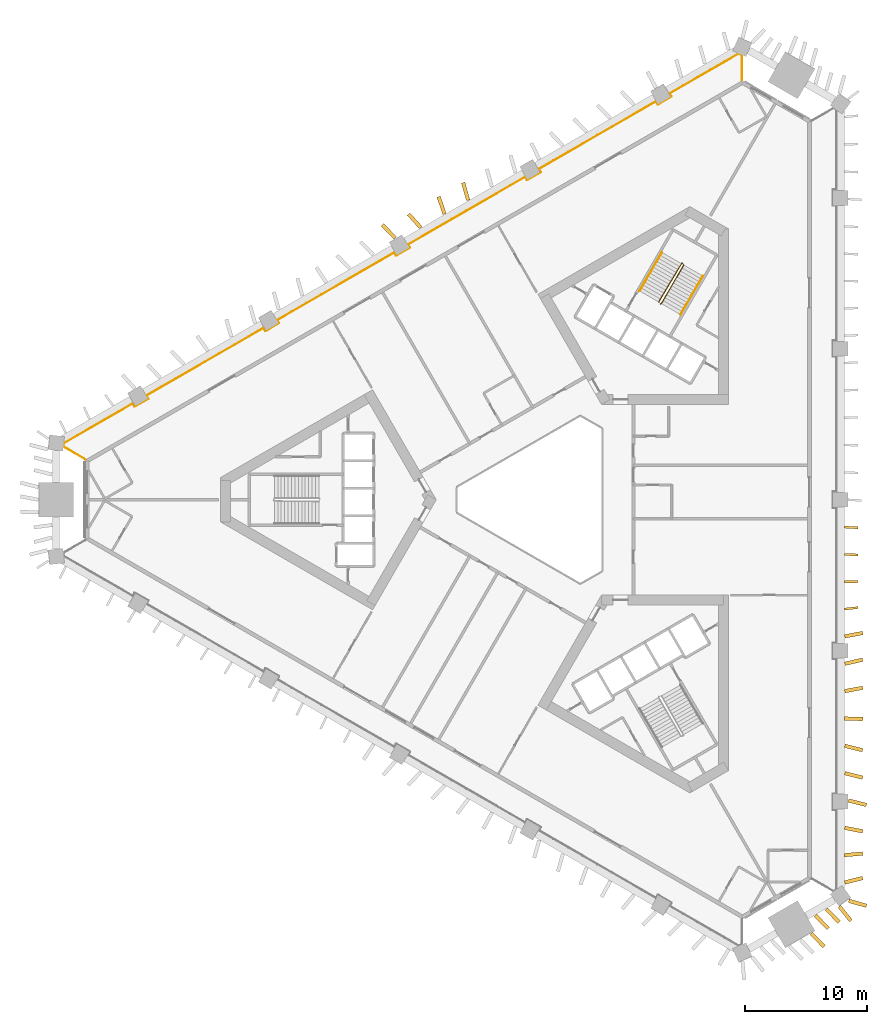
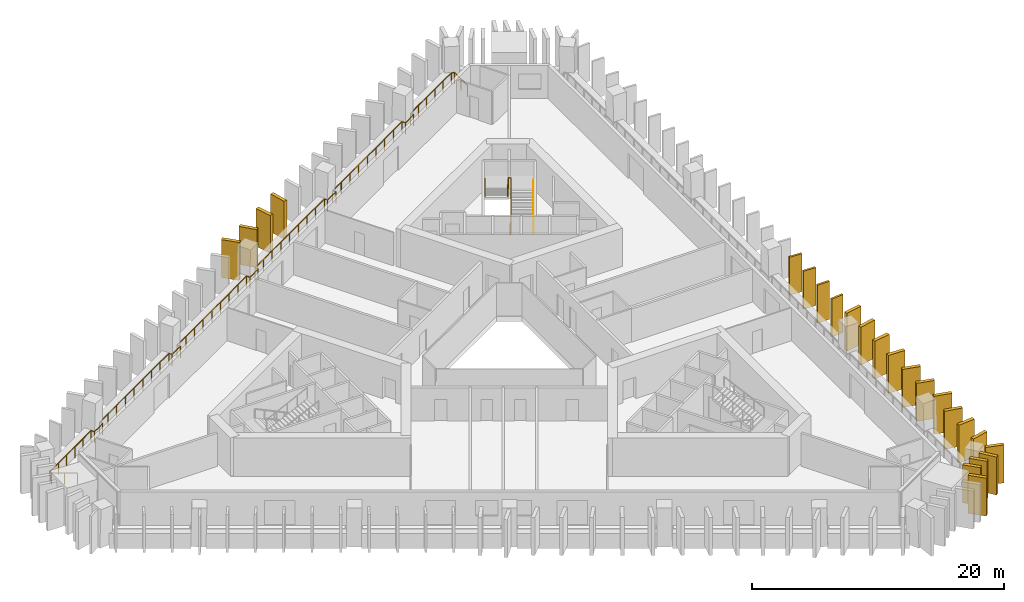
# One storey, part 9 of 10: 23 shading devices, 4 railings.
"""IFC4 building model written with IfcOpenShell, lengths in metres."""

from ifc_helpers import new_model, si_unit, direction, frame, frame_2d, origin, origin_2d, place, context, subcontext, project, spatial, rectangle, circle, extrude, material, layer, layer_set, type_object, element, save


model = new_model("IFC4")

# Units and contexts
model_context = context("Model", 3, precision=1e-05, world=origin(), true_north=direction((0.0, 1.0)))
body_context = subcontext(model_context, "Body", "Model", "MODEL_VIEW")
ifc_project = project(units=[si_unit("LENGTHUNIT", "METRE"), si_unit("AREAUNIT", "SQUARE_METRE"), si_unit("VOLUMEUNIT", "CUBIC_METRE"), si_unit("PLANEANGLEUNIT", "RADIAN"), si_unit("MASSUNIT", "GRAM", prefix="KILO")], contexts=[model_context])

# Site, building, storey
site_placement = place(None, origin())
site = spatial("IfcSite", under=ifc_project, at=site_placement, CompositionType="ELEMENT")
building_placement = place(site_placement, origin())
building = spatial("IfcBuilding", under=site, at=building_placement, Name="Jabali Bay Hotel Tower and Convention Centre", CompositionType="ELEMENT")
storey_placement = place(building_placement, frame((0.0, 0.0, 30.0)))
storey = spatial("IfcBuildingStorey", under=building, at=storey_placement, Name="L05", CompositionType="ELEMENT", Elevation=30.0)

# Railing
ifc_material_1 = material(Name="Glass", Category="glass")
railing_type_1 = type_object("IfcRailingType", Name="Loggia glass guard 1100", PredefinedType="BALUSTRADE", material=ifc_material_1)
railing_1_placement = place(storey_placement, frame((37.3291015625, 83.3076171875, 0.0)))
element("IfcRailing", 1, at=railing_1_placement, inside=storey, type_object=railing_type_1, Name="Loggia glass guard L05", PredefinedType="BALUSTRADE", context=body_context, shape_type="SweptSolid", body=[
    extrude(circle(Radius=0.02490234375, at=origin_2d()), frame((0.0, 0.0, 1.0751953125), z_axis=(-0.865975938727, 0.500085666207, 0.0), x_axis=(-0.495807364007, -0.858567394524, 0.13052619222)), (0.0, 0.0, 1.0), 2.055908203125),
    extrude(circle(Radius=0.02490234375, at=origin_2d()), frame((-1.7802734375, 1.028076171875, 1.0751953125), z_axis=(0.115132230487, 0.993350174663, 0.0), x_axis=(-0.984851926214, 0.114147258294, 0.13052619222)), (0.0, 0.0, 1.0), 0.2734375),
    extrude(circle(Radius=0.02490234375, at=origin_2d()), frame((-1.748779296875, 1.2998046875, 1.0751953125), z_axis=(0.866012446351, 0.500022442261, 0.0), x_axis=(-0.495744680951, 0.858603589821, 0.13052619222)), (0.0, 0.0, 1.0), 6.504638671875),
    extrude(circle(Radius=0.02490234375, at=origin_2d()), frame((3.88427734375, 4.55224609375, 1.0751953125), z_axis=(0.500074377092, -0.865982457891, 0.0), x_axis=(0.858573857916, 0.495796171473, 0.13052619222)), (0.0, 0.0, 1.0), 0.30029296875),
    extrude(circle(Radius=0.02490234375, at=origin_2d()), frame((4.034423828125, 4.292236328125, 1.0751953125), z_axis=(0.86595725628, 0.500118016368, 0.0), x_axis=(-0.495839437409, 0.858548871908, 0.13052619222)), (0.0, 0.0, 1.0), 1.300048828125),
    extrude(circle(Radius=0.02490234375, at=origin_2d()), frame((5.16015625, 4.9423828125, 1.0751953125), z_axis=(-0.499816412211, 0.866131372301, 0.0), x_axis=(-0.858721498343, -0.495540413517, 0.13052619222)), (0.0, 0.0, 1.0), 0.2998046875),
    extrude(circle(Radius=0.02490234375, at=origin_2d()), frame((5.01025390625, 5.2021484375, 1.0751953125), z_axis=(0.866027235041, 0.499996828157, 0.0), x_axis=(-0.495719285979, 0.858618251991, 0.13052619222)), (0.0, 0.0, 1.0), 11.0400390625),
    extrude(circle(Radius=0.02490234375, at=origin_2d()), frame((14.5712890625, 10.72216796875, 1.0751953125), z_axis=(0.499816412211, -0.866131372301, 0.0), x_axis=(0.858721498343, 0.495540413517, 0.13052619222)), (0.0, 0.0, 1.0), 0.2998046875),
    extrude(circle(Radius=0.02490234375, at=origin_2d()), frame((14.72119140625, 10.46240234375, 1.0751953125), z_axis=(0.86603858612, 0.49997716683, 0.0), x_axis=(-0.495699792858, 0.85862950596, 0.13052619222)), (0.0, 0.0, 1.0), 1.2998046875),
    extrude(circle(Radius=0.02490234375, at=origin_2d()), frame((15.846923828125, 11.1123046875, 1.0751953125), z_axis=(-0.499816412211, 0.866131372301, 0.0), x_axis=(-0.858721498343, -0.495540413517, 0.13052619222)), (0.0, 0.0, 1.0), 0.2998046875),
    extrude(circle(Radius=0.02490234375, at=origin_2d()), frame((15.697021484375, 11.3720703125, 1.0751953125), z_axis=(0.866027235041, 0.499996828157, 0.0), x_axis=(-0.495719285979, 0.858618251991, 0.13052619222)), (0.0, 0.0, 1.0), 11.0400390625),
    extrude(circle(Radius=0.02490234375, at=origin_2d()), frame((25.258056640625, 16.89208984375, 1.0751953125), z_axis=(0.499816412211, -0.866131372301, 0.0), x_axis=(0.858721498343, 0.495540413517, 0.13052619222)), (0.0, 0.0, 1.0), 0.2998046875),
    extrude(circle(Radius=0.02490234375, at=origin_2d()), frame((25.407958984375, 16.63232421875, 1.0751953125), z_axis=(0.866004217611, 0.500036693733, 0.0), x_axis=(-0.4957588105, 0.858595431479, 0.13052619222)), (0.0, 0.0, 1.0), 1.30029296875),
    extrude(circle(Radius=0.02490234375, at=origin_2d()), frame((26.533935546875, 17.282470703125, 1.0751953125), z_axis=(-0.500426713919, 0.865778900179, 0.0), x_axis=(-0.858372041669, -0.49614549401, 0.13052619222)), (0.0, 0.0, 1.0), 0.300048828125),
    extrude(circle(Radius=0.02490234375, at=origin_2d()), frame((26.3837890625, 17.542236328125, 1.0751953125), z_axis=(0.866027235041, 0.499996828157, 0.0), x_axis=(-0.495719285979, 0.858618251991, 0.13052619222)), (0.0, 0.0, 1.0), 11.0400390625),
    extrude(circle(Radius=0.02490234375, at=origin_2d()), frame((35.94482421875, 23.062255859375, 1.0751953125), z_axis=(0.499816412211, -0.866131372301, 0.0), x_axis=(0.858721498343, 0.495540413517, 0.13052619222)), (0.0, 0.0, 1.0), 0.2998046875),
    extrude(circle(Radius=0.02490234375, at=origin_2d()), frame((36.0947265625, 22.802490234375, 1.0751953125), z_axis=(0.866085525409, 0.49989585183, 0.0), x_axis=(-0.495619173519, 0.858676043677, 0.13052619222)), (0.0, 0.0, 1.0), 1.300048828125),
    extrude(circle(Radius=0.02490234375, at=origin_2d()), frame((37.220703125, 23.452392578125, 1.0751953125), z_axis=(-0.500426713919, 0.865778900179, 0.0), x_axis=(-0.858372041669, -0.49614549401, 0.13052619222)), (0.0, 0.0, 1.0), 0.300048828125),
    extrude(circle(Radius=0.02490234375, at=origin_2d()), frame((37.070556640625, 23.712158203125, 1.0751953125), z_axis=(0.866027235041, 0.499996828157, 0.0), x_axis=(-0.495719285979, 0.858618251991, 0.13052619222)), (0.0, 0.0, 1.0), 11.0400390625),
    extrude(circle(Radius=0.02490234375, at=origin_2d()), frame((46.631591796875, 29.232177734375, 1.0751953125), z_axis=(0.499816412211, -0.866131372301, 0.0), x_axis=(0.858721498343, 0.495540413517, 0.13052619222)), (0.0, 0.0, 1.0), 0.2998046875),
    extrude(circle(Radius=0.02490234375, at=origin_2d()), frame((46.781494140625, 28.972412109375, 1.0751953125), z_axis=(0.866004217611, 0.500036693733, 0.0), x_axis=(-0.4957588105, 0.858595431479, 0.13052619222)), (0.0, 0.0, 1.0), 1.30029296875),
    extrude(circle(Radius=0.02490234375, at=origin_2d()), frame((47.907470703125, 29.62255859375, 1.0751953125), z_axis=(-0.500426713919, 0.865778900179, 0.0), x_axis=(-0.858372041669, -0.49614549401, 0.13052619222)), (0.0, 0.0, 1.0), 0.300048828125),
    extrude(circle(Radius=0.02490234375, at=origin_2d()), frame((47.75732421875, 29.88232421875, 1.0751953125), z_axis=(0.866038082106, 0.49997803986, 0.0), x_axis=(-0.495700658419, 0.858629006258, 0.13052619222)), (0.0, 0.0, 1.0), 6.504638671875),
    extrude(circle(Radius=0.02490234375, at=origin_2d()), frame((53.390625, 33.134521484375, 1.0751953125), z_axis=(0.917848253155, -0.396931460305, 0.0), x_axis=(0.393535656637, 0.909995934112, 0.13052619222)), (0.0, 0.0, 1.0), 0.273681640625),
    extrude(circle(Radius=0.02490234375, at=origin_2d()), frame((53.641845703125, 33.02587890625, 1.0751953125), z_axis=(0.0, -1.0, 0.0), x_axis=(0.991444861374, 0.0, 0.13052619222)), (0.0, 0.0, 1.0), 2.0556640625),
    extrude(circle(Radius=0.02001953125, at=origin_2d()), origin(), (0.0, 0.0, 1.0), 1.050048828125),
    extrude(circle(Radius=0.02001953125, at=origin_2d()), frame((-0.89013671875, 0.51416015625, 0.0)), (0.0, 0.0, 1.0), 1.050048828125),
    extrude(circle(Radius=0.02001953125, at=origin_2d()), frame((-1.7802734375, 1.028076171875, 0.0)), (0.0, 0.0, 1.0), 1.050048828125),
    extrude(circle(Radius=0.02001953125, at=origin_2d()), frame((-1.748779296875, 1.2998046875, 0.0)), (0.0, 0.0, 1.0), 1.050048828125),
    extrude(circle(Radius=0.02001953125, at=origin_2d()), frame((-0.6220703125, 1.9501953125, 0.0)), (0.0, 0.0, 1.0), 1.050048828125),
    extrude(circle(Radius=0.02001953125, at=origin_2d()), frame((0.50439453125, 2.600830078125, 0.0)), (0.0, 0.0, 1.0), 1.050048828125),
    extrude(circle(Radius=0.02001953125, at=origin_2d()), frame((1.631103515625, 3.251220703125, 0.0)), (0.0, 0.0, 1.0), 1.050048828125),
    extrude(circle(Radius=0.02001953125, at=origin_2d()), frame((2.757568359375, 3.90185546875, 0.0)), (0.0, 0.0, 1.0), 1.050048828125),
    extrude(circle(Radius=0.02001953125, at=origin_2d()), frame((3.88427734375, 4.55224609375, 0.0)), (0.0, 0.0, 1.0), 1.050048828125),
    extrude(circle(Radius=0.02001953125, at=origin_2d()), frame((4.034423828125, 4.292236328125, 0.0)), (0.0, 0.0, 1.0), 1.050048828125),
    extrude(circle(Radius=0.02001953125, at=origin_2d()), frame((5.16015625, 4.9423828125, 0.0)), (0.0, 0.0, 1.0), 1.050048828125),
    extrude(circle(Radius=0.02001953125, at=origin_2d()), frame((5.01025390625, 5.2021484375, 0.0)), (0.0, 0.0, 1.0), 1.050048828125),
    extrude(circle(Radius=0.02001953125, at=origin_2d()), frame((6.205322265625, 5.89208984375, 0.0)), (0.0, 0.0, 1.0), 1.050048828125),
    extrude(circle(Radius=0.02001953125, at=origin_2d()), frame((7.400390625, 6.58203125, 0.0)), (0.0, 0.0, 1.0), 1.050048828125),
    extrude(circle(Radius=0.02001953125, at=origin_2d()), frame((8.595703125, 7.272216796875, 0.0)), (0.0, 0.0, 1.0), 1.050048828125),
    extrude(circle(Radius=0.02001953125, at=origin_2d()), frame((9.790771484375, 7.962158203125, 0.0)), (0.0, 0.0, 1.0), 1.050048828125),
    extrude(circle(Radius=0.02001953125, at=origin_2d()), frame((10.98583984375, 8.652099609375, 0.0)), (0.0, 0.0, 1.0), 1.050048828125),
    extrude(circle(Radius=0.02001953125, at=origin_2d()), frame((12.18115234375, 9.34228515625, 0.0)), (0.0, 0.0, 1.0), 1.050048828125),
    extrude(circle(Radius=0.02001953125, at=origin_2d()), frame((13.376220703125, 10.0322265625, 0.0)), (0.0, 0.0, 1.0), 1.050048828125),
    extrude(circle(Radius=0.02001953125, at=origin_2d()), frame((14.5712890625, 10.72216796875, 0.0)), (0.0, 0.0, 1.0), 1.050048828125),
    extrude(circle(Radius=0.02001953125, at=origin_2d()), frame((14.72119140625, 10.46240234375, 0.0)), (0.0, 0.0, 1.0), 1.050048828125),
    extrude(circle(Radius=0.02001953125, at=origin_2d()), frame((15.846923828125, 11.1123046875, 0.0)), (0.0, 0.0, 1.0), 1.050048828125),
    extrude(circle(Radius=0.02001953125, at=origin_2d()), frame((15.697021484375, 11.3720703125, 0.0)), (0.0, 0.0, 1.0), 1.050048828125),
    extrude(circle(Radius=0.02001953125, at=origin_2d()), frame((16.89208984375, 12.06201171875, 0.0)), (0.0, 0.0, 1.0), 1.050048828125),
    extrude(circle(Radius=0.02001953125, at=origin_2d()), frame((18.08740234375, 12.751953125, 0.0)), (0.0, 0.0, 1.0), 1.050048828125),
    extrude(circle(Radius=0.02001953125, at=origin_2d()), frame((19.282470703125, 13.442138671875, 0.0)), (0.0, 0.0, 1.0), 1.050048828125),
    extrude(circle(Radius=0.02001953125, at=origin_2d()), frame((20.4775390625, 14.132080078125, 0.0)), (0.0, 0.0, 1.0), 1.050048828125),
    extrude(circle(Radius=0.02001953125, at=origin_2d()), frame((21.672607421875, 14.822021484375, 0.0)), (0.0, 0.0, 1.0), 1.050048828125),
    extrude(circle(Radius=0.02001953125, at=origin_2d()), frame((22.86767578125, 15.51220703125, 0.0)), (0.0, 0.0, 1.0), 1.050048828125),
    extrude(circle(Radius=0.02001953125, at=origin_2d()), frame((24.06298828125, 16.2021484375, 0.0)), (0.0, 0.0, 1.0), 1.050048828125),
    extrude(circle(Radius=0.02001953125, at=origin_2d()), frame((25.258056640625, 16.89208984375, 0.0)), (0.0, 0.0, 1.0), 1.050048828125),
    extrude(circle(Radius=0.02001953125, at=origin_2d()), frame((25.407958984375, 16.63232421875, 0.0)), (0.0, 0.0, 1.0), 1.050048828125),
    extrude(circle(Radius=0.02001953125, at=origin_2d()), frame((26.533935546875, 17.282470703125, 0.0)), (0.0, 0.0, 1.0), 1.050048828125),
    extrude(circle(Radius=0.02001953125, at=origin_2d()), frame((26.3837890625, 17.542236328125, 0.0)), (0.0, 0.0, 1.0), 1.050048828125),
    extrude(circle(Radius=0.02001953125, at=origin_2d()), frame((27.578857421875, 18.232177734375, 0.0)), (0.0, 0.0, 1.0), 1.050048828125),
    extrude(circle(Radius=0.02001953125, at=origin_2d()), frame((28.77392578125, 18.92236328125, 0.0)), (0.0, 0.0, 1.0), 1.050048828125),
    extrude(circle(Radius=0.02001953125, at=origin_2d()), frame((29.96923828125, 19.6123046875, 0.0)), (0.0, 0.0, 1.0), 1.050048828125),
    extrude(circle(Radius=0.02001953125, at=origin_2d()), frame((31.164306640625, 20.30224609375, 0.0)), (0.0, 0.0, 1.0), 1.050048828125),
    extrude(circle(Radius=0.02001953125, at=origin_2d()), frame((32.359375, 20.9921875, 0.0)), (0.0, 0.0, 1.0), 1.050048828125),
    extrude(circle(Radius=0.02001953125, at=origin_2d()), frame((33.5546875, 21.68212890625, 0.0)), (0.0, 0.0, 1.0), 1.050048828125),
    extrude(circle(Radius=0.02001953125, at=origin_2d()), frame((34.749755859375, 22.372314453125, 0.0)), (0.0, 0.0, 1.0), 1.050048828125),
    extrude(circle(Radius=0.02001953125, at=origin_2d()), frame((35.94482421875, 23.062255859375, 0.0)), (0.0, 0.0, 1.0), 1.050048828125),
    extrude(circle(Radius=0.02001953125, at=origin_2d()), frame((36.0947265625, 22.802490234375, 0.0)), (0.0, 0.0, 1.0), 1.050048828125),
    extrude(circle(Radius=0.02001953125, at=origin_2d()), frame((37.220703125, 23.452392578125, 0.0)), (0.0, 0.0, 1.0), 1.050048828125),
    extrude(circle(Radius=0.02001953125, at=origin_2d()), frame((37.070556640625, 23.712158203125, 0.0)), (0.0, 0.0, 1.0), 1.050048828125),
    extrude(circle(Radius=0.02001953125, at=origin_2d()), frame((38.265625, 24.402099609375, 0.0)), (0.0, 0.0, 1.0), 1.050048828125),
    extrude(circle(Radius=0.02001953125, at=origin_2d()), frame((39.4609375, 25.09228515625, 0.0)), (0.0, 0.0, 1.0), 1.050048828125),
    extrude(circle(Radius=0.02001953125, at=origin_2d()), frame((40.656005859375, 25.7822265625, 0.0)), (0.0, 0.0, 1.0), 1.050048828125),
    extrude(circle(Radius=0.02001953125, at=origin_2d()), frame((41.85107421875, 26.47216796875, 0.0)), (0.0, 0.0, 1.0), 1.050048828125),
    extrude(circle(Radius=0.02001953125, at=origin_2d()), frame((43.046142578125, 27.162109375, 0.0)), (0.0, 0.0, 1.0), 1.050048828125),
    extrude(circle(Radius=0.02001953125, at=origin_2d()), frame((44.2412109375, 27.85205078125, 0.0)), (0.0, 0.0, 1.0), 1.050048828125),
    extrude(circle(Radius=0.02001953125, at=origin_2d()), frame((45.4365234375, 28.542236328125, 0.0)), (0.0, 0.0, 1.0), 1.050048828125),
    extrude(circle(Radius=0.02001953125, at=origin_2d()), frame((46.631591796875, 29.232177734375, 0.0)), (0.0, 0.0, 1.0), 1.050048828125),
    extrude(circle(Radius=0.02001953125, at=origin_2d()), frame((46.781494140625, 28.972412109375, 0.0)), (0.0, 0.0, 1.0), 1.050048828125),
    extrude(circle(Radius=0.02001953125, at=origin_2d()), frame((47.907470703125, 29.62255859375, 0.0)), (0.0, 0.0, 1.0), 1.050048828125),
    extrude(circle(Radius=0.02001953125, at=origin_2d()), frame((47.75732421875, 29.88232421875, 0.0)), (0.0, 0.0, 1.0), 1.050048828125),
    extrude(circle(Radius=0.02001953125, at=origin_2d()), frame((48.884033203125, 30.53271484375, 0.0)), (0.0, 0.0, 1.0), 1.050048828125),
    extrude(circle(Radius=0.02001953125, at=origin_2d()), frame((50.0107421875, 31.18310546875, 0.0)), (0.0, 0.0, 1.0), 1.050048828125),
    extrude(circle(Radius=0.02001953125, at=origin_2d()), frame((51.13720703125, 31.833740234375, 0.0)), (0.0, 0.0, 1.0), 1.050048828125),
    extrude(circle(Radius=0.02001953125, at=origin_2d()), frame((52.263916015625, 32.484130859375, 0.0)), (0.0, 0.0, 1.0), 1.050048828125),
    extrude(circle(Radius=0.02001953125, at=origin_2d()), frame((53.390625, 33.134521484375, 0.0)), (0.0, 0.0, 1.0), 1.050048828125),
    extrude(circle(Radius=0.02001953125, at=origin_2d()), frame((53.641845703125, 33.02587890625, 0.0)), (0.0, 0.0, 1.0), 1.050048828125),
    extrude(circle(Radius=0.02001953125, at=origin_2d()), frame((53.641845703125, 31.998046875, 0.0)), (0.0, 0.0, 1.0), 1.050048828125),
    extrude(circle(Radius=0.02001953125, at=origin_2d()), frame((53.641845703125, 30.97021484375, 0.0)), (0.0, 0.0, 1.0), 1.050048828125),
])

# Shading devices
ifc_material_2 = material(Name="Precast concrete C60", Category="concrete")
ifc_layer_1 = layer(ifc_material_2, 0.179931640625)
ifc_layer_set_1 = layer_set([ifc_layer_1], Name="Precast concrete C60")
shading_device_type_1 = type_object("IfcShadingDeviceType", Name="Precast fin 3680 x 1100", PredefinedType="USERDEFINED", material=ifc_layer_set_1)
shading_device_1_placement = place(storey_placement, frame((99.3525390625, 71.06640625, 0.010009765625), z_axis=(0.0, 0.0, 1.0), x_axis=(0.993698292837, 0.112087924477, 0.0)))
element("IfcShadingDevice", 2, at=shading_device_1_placement, inside=storey, type_object=shading_device_type_1, Name="Fin L05 010", ObjectType="FIN", PredefinedType="USERDEFINED", context=body_context, shape_type="SweptSolid", body=[
    extrude(rectangle(XDim=1.099853515625, YDim=0.179931640625, at=frame_2d((0.5498046875, 0.0))), origin(), (0.0, 0.0, 1.0), 3.679931640625),
])
for number, where, z_axis, x_axis, name in (
    (3, (99.34326171875, 73.2998046875, 0.010009765625), (0.0, 0.0, 1.0), (0.999947896206, 0.010208078834, 0.0), "Fin L05 011"),
    (4, (99.345703125, 75.533203125, 0.010009765625), (0.0, 0.0, 1.0), (0.999288131101, -0.037725734463, 0.0), "Fin L05 012"),
    (5, (99.347412109375, 77.7666015625, 0.010009765625), (0.0, 0.0, 1.0), (0.998447351729, -0.055703553075, 0.0), "Fin L05 013"),
):
    element("IfcShadingDevice", number, at=place(storey_placement, frame(where, z_axis=z_axis, x_axis=x_axis)), inside=storey, type_object=shading_device_type_1, Name=name, ObjectType="FIN", PredefinedType="USERDEFINED", context=body_context, shape_type="SweptSolid", body=[
        extrude(rectangle(XDim=1.10009765625, YDim=0.179931640625, at=frame_2d((0.550048828125, 0.0))), origin(), (0.0, 0.0, 1.0), 3.679931640625),
    ])
ifc_layer_2 = layer(ifc_material_2, 0.300048828125)
ifc_layer_set_2 = layer_set([ifc_layer_2], Name="Precast concrete C60")
shading_device_type_2 = type_object("IfcShadingDeviceType", Name="Precast fin 3680 x 1500", PredefinedType="USERDEFINED", material=ifc_layer_set_2)
shading_device_2_placement = place(storey_placement, frame((99.379150390625, 48.732177734375, 0.010009765625), z_axis=(0.0, 0.0, 1.0), x_axis=(0.969652207963, 0.244488436522, 0.0)))
element("IfcShadingDevice", 6, at=shading_device_2_placement, inside=storey, type_object=shading_device_type_2, Name="Fin L05 000", ObjectType="FIN", PredefinedType="USERDEFINED", context=body_context, shape_type="SweptSolid", body=[
    extrude(rectangle(XDim=1.499755859375, YDim=0.300048828125, at=frame_2d((0.75, 0.0))), origin(), (0.0, 0.0, 1.0), 3.679931640625),
])
for number, where, z_axis, x_axis, name in (
    (7, (99.35595703125, 50.965576171875, 0.010009765625), (0.0, 0.0, 1.0), (0.995941094488, 0.09000742364, 0.0), "Fin L05 001"),
    (8, (99.371337890625, 53.198974609375, 0.010009765625), (0.0, 0.0, 1.0), (0.981189402433, -0.193047549981, 0.0), "Fin L05 002"),
    (9, (99.6865234375, 55.432373046875, 0.010009765625), (0.0, 0.0, 1.0), (0.969661935485, -0.244449853491, 0.0), "Fin L05 003"),
):
    element("IfcShadingDevice", number, at=place(storey_placement, frame(where, z_axis=z_axis, x_axis=x_axis)), inside=storey, type_object=shading_device_type_2, Name=name, ObjectType="FIN", PredefinedType="USERDEFINED", context=body_context, shape_type="SweptSolid", body=[
        extrude(rectangle(XDim=1.5, YDim=0.300048828125, at=frame_2d((0.75, 0.0))), origin(), (0.0, 0.0, 1.0), 3.679931640625),
    ])
shading_device_3_placement = place(storey_placement, frame((99.379150390625, 57.665771484375, 0.010009765625), z_axis=(0.0, 0.0, 1.0), x_axis=(0.969690786346, -0.244335381955, 0.0)))
element("IfcShadingDevice", 10, at=shading_device_3_placement, inside=storey, type_object=shading_device_type_2, Name="Fin L05 004", ObjectType="FIN", PredefinedType="USERDEFINED", context=body_context, shape_type="SweptSolid", body=[
    extrude(rectangle(XDim=1.499755859375, YDim=0.300048828125, at=frame_2d((0.75, 0.0))), origin(), (0.0, 0.0, 1.0), 3.679931640625),
])
shading_device_4_placement = place(storey_placement, frame((99.37890625, 59.899169921875, 0.010009765625), z_axis=(0.0, 0.0, 1.0), x_axis=(0.969787259578, -0.243952190318, 0.0)))
element("IfcShadingDevice", 11, at=shading_device_4_placement, inside=storey, type_object=shading_device_type_2, Name="Fin L05 005", ObjectType="FIN", PredefinedType="USERDEFINED", context=body_context, shape_type="SweptSolid", body=[
    extrude(rectangle(XDim=1.500244140625, YDim=0.300048828125, at=frame_2d((0.75, 0.0))), origin(), (0.0, 0.0, 1.0), 3.679931640625),
])
for number, where, z_axis, x_axis, name in (
    (12, (99.34716796875, 62.132568359375, 0.010009765625), (0.0, 0.0, 1.0), (0.99948585073, -0.032062972251, 0.0), "Fin L05 006"),
    (13, (99.36962890625, 64.365966796875, 0.010009765625), (0.0, 0.0, 1.0), (0.983337001592, 0.181792027603, 0.0), "Fin L05 007"),
    (14, (99.376220703125, 66.599609375, 0.010009765625), (0.0, 0.0, 1.0), (0.974333554562, 0.225109138984, 0.0), "Fin L05 008"),
    (15, (99.37109375, 68.8330078125, 0.010009765625), (0.0, 0.0, 1.0), (0.981667028692, 0.190603894976, 0.0), "Fin L05 009"),
    (16, (68.613037109375, 104.463134765625, 0.010009765625), (0.0, 0.0, 1.0), (-0.273129894781, 0.961977162191, 0.0), "Fin L05 049"),
    (17, (66.682861328125, 103.33935546875, 0.010009765625), (0.0, 0.0, 1.0), (-0.325684689469, 0.945478441343, 0.0), "Fin L05 050"),
    (18, (64.7470703125, 102.225341796875, 0.010009765625), (0.0, 0.0, 1.0), (-0.67158644981, 0.740926204444, 0.0), "Fin L05 051"),
    (19, (62.65673828125, 101.379150390625, 0.010009765625), (0.0, 0.0, 1.0), (-0.696613402281, 0.717446700293, 0.0), "Fin L05 052"),
    (20, (96.6455078125, 44.5693359375, 0.010009765625), (0.0, 0.0, 1.0), (0.696448262157, -0.717607008145, 0.0), "Fin L05 110"),
):
    element("IfcShadingDevice", number, at=place(storey_placement, frame(where, z_axis=z_axis, x_axis=x_axis)), inside=storey, type_object=shading_device_type_2, Name=name, ObjectType="FIN", PredefinedType="USERDEFINED", context=body_context, shape_type="SweptSolid", body=[
        extrude(rectangle(XDim=1.5, YDim=0.300048828125, at=frame_2d((0.75, 0.0))), origin(), (0.0, 0.0, 1.0), 3.679931640625),
    ])
shading_device_5_placement = place(storey_placement, frame((96.9814453125, 46.047607421875, 0.010009765625), z_axis=(0.0, 0.0, 1.0), x_axis=(0.696529610542, -0.717528049374, 0.0)))
element("IfcShadingDevice", 21, at=shading_device_5_placement, inside=storey, type_object=shading_device_type_2, Name="Fin L05 111", ObjectType="FIN", PredefinedType="USERDEFINED", context=body_context, shape_type="SweptSolid", body=[
    extrude(rectangle(XDim=1.499755859375, YDim=0.300048828125, at=frame_2d((0.75, 0.0))), origin(), (0.0, 0.0, 1.0), 3.679931640625),
])
shading_device_6_placement = place(storey_placement, frame((97.87353515625, 46.562744140625, 0.010009765625), z_axis=(0.0, 0.0, 1.0), x_axis=(0.696613402281, -0.717446700293, 0.0)))
element("IfcShadingDevice", 22, at=shading_device_6_placement, inside=storey, type_object=shading_device_type_2, Name="Fin L05 112", ObjectType="FIN", PredefinedType="USERDEFINED", context=body_context, shape_type="SweptSolid", body=[
    extrude(rectangle(XDim=1.5, YDim=0.300048828125, at=frame_2d((0.75, 0.0))), origin(), (0.0, 0.0, 1.0), 3.679931640625),
])
shading_device_7_placement = place(storey_placement, frame((98.93798828125, 46.779052734375, 0.010009765625), z_axis=(0.0, 0.0, 1.0), x_axis=(0.623105699274, -0.782137639762, 0.0)))
element("IfcShadingDevice", 23, at=shading_device_7_placement, inside=storey, type_object=shading_device_type_2, Name="Fin L05 113", ObjectType="FIN", PredefinedType="USERDEFINED", context=body_context, shape_type="SweptSolid", body=[
    extrude(rectangle(XDim=1.499755859375, YDim=0.300048828125, at=frame_2d((0.75, 0.0))), origin(), (0.0, 0.0, 1.0), 3.679931640625),
])
shading_device_8_placement = place(storey_placement, frame((99.7021484375, 47.239013671875, 0.010009765625), z_axis=(0.0, 0.0, 1.0), x_axis=(0.961977162191, -0.273129894781, 0.0)))
element("IfcShadingDevice", 24, at=shading_device_8_placement, inside=storey, type_object=shading_device_type_2, Name="Fin L05 114", ObjectType="FIN", PredefinedType="USERDEFINED", context=body_context, shape_type="SweptSolid", body=[
    extrude(rectangle(XDim=1.5, YDim=0.300048828125, at=frame_2d((0.75, 0.0))), origin(), (0.0, 0.0, 1.0), 3.679931640625),
])

# Railings
ifc_material_3 = material(Name="Steel Q355B", Category="steel")
railing_type_2 = type_object("IfcRailingType", Name="Stair guard 1100", PredefinedType="GUARDRAIL", material=ifc_material_3)
railing_2_placement = place(storey_placement, frame((84.329833984375, 96.010009765625, 0.0)))
element("IfcRailing", 25, at=railing_2_placement, inside=storey, type_object=railing_type_2, Name="L05 ST2 stair guard 1", PredefinedType="GUARDRAIL", context=body_context, shape_type="SweptSolid", body=[
    extrude(circle(Radius=0.02392578125, at=origin_2d()), frame((0.0, 0.0, 1.076171875), z_axis=(0.456201556387, 0.122196845461, 0.881446578591), x_axis=(-0.258736085224, 0.965948051503, 0.0)), (0.0, 0.0, 1.0), 0.14990234375),
    extrude(circle(Radius=0.02392578125, at=origin_2d()), frame((0.068359375, 0.018310546875, 1.2080078125), z_axis=(0.45217862506, 0.783169739339, 0.426825081763), x_axis=(-0.866018046521, 0.500012742938, 0.0)), (0.0, 0.0, 1.0), 4.025146484375),
    extrude(circle(Radius=0.02392578125, at=origin_2d()), frame((1.888427734375, 3.170654296875, 2.92626953125), z_axis=(-0.718850276695, 0.695164929852, 0.0), x_axis=(-0.695164929852, -0.718850276695, 0.0)), (0.0, 0.0, 1.0), 0.2060546875),
    extrude(circle(Radius=0.02392578125, at=origin_2d()), frame((1.740234375, 3.31396484375, 2.92626953125), z_axis=(-0.457457462341, -0.768067235091, 0.448113147015), x_axis=(0.859157857954, -0.511710636118, 0.0)), (0.0, 0.0, 1.0), 4.128173828125),
    extrude(circle(Radius=0.02099609375, at=origin_2d()), origin(), (0.0, 0.0, 1.0), 1.052001953125),
    extrude(circle(Radius=0.02099609375, at=origin_2d()), frame((0.068359375, 0.018310546875, 0.132080078125)), (0.0, 0.0, 1.0), 1.052001953125),
    extrude(circle(Radius=0.02099609375, at=origin_2d()), frame((0.5234375, 0.806396484375, 0.5615234375)), (0.0, 0.0, 1.0), 1.052001953125),
    extrude(circle(Radius=0.02099609375, at=origin_2d()), frame((0.978515625, 1.594482421875, 0.9912109375)), (0.0, 0.0, 1.0), 1.052001953125),
    extrude(circle(Radius=0.02099609375, at=origin_2d()), frame((1.433349609375, 2.382568359375, 1.420654296875)), (0.0, 0.0, 1.0), 1.052001953125),
    extrude(circle(Radius=0.02099609375, at=origin_2d()), frame((1.888427734375, 3.170654296875, 1.85009765625)), (0.0, 0.0, 1.0), 1.052001953125),
    extrude(circle(Radius=0.02099609375, at=origin_2d()), frame((1.740234375, 3.31396484375, 1.85009765625)), (0.0, 0.0, 1.0), 1.052001953125),
    extrude(circle(Radius=0.02099609375, at=origin_2d()), frame((1.26806640625, 2.521240234375, 2.3125)), (0.0, 0.0, 1.0), 1.052001953125),
    extrude(circle(Radius=0.02099609375, at=origin_2d()), frame((0.7958984375, 1.728515625, 2.77490234375)), (0.0, 0.0, 1.0), 1.052001953125),
    extrude(circle(Radius=0.02099609375, at=origin_2d()), frame((0.323974609375, 0.93603515625, 3.237548828125)), (0.0, 0.0, 1.0), 1.052001953125),
    extrude(circle(Radius=0.02099609375, at=origin_2d()), frame((-0.148193359375, 0.143310546875, 3.699951171875)), (0.0, 0.0, 1.0), 1.052001953125),
])
railing_type_3 = type_object("IfcRailingType", Name="Stair handrail 900", PredefinedType="HANDRAIL", material=ifc_material_3)
railing_3_placement = place(storey_placement, frame((85.95703125, 95.128173828125, 0.132080078125)))
element("IfcRailing", 26, at=railing_3_placement, inside=storey, type_object=railing_type_3, Name="L05 ST2 stair handrail 1", PredefinedType="HANDRAIL", context=body_context, shape_type="SweptSolid", body=[
    extrude(circle(Radius=0.02392578125, at=origin_2d()), frame((0.0, 0.0, 0.8759765625), z_axis=(0.45217862506, 0.783169739339, 0.426825081763), x_axis=(-0.866018046521, 0.500012742938, 0.0)), (0.0, 0.0, 1.0), 4.025146484375),
    extrude(circle(Radius=0.02099609375, at=origin_2d()), origin(), (0.0, 0.0, 1.0), 0.851806640625),
    extrude(circle(Radius=0.02099609375, at=origin_2d()), frame((0.455078125, 0.7880859375, 0.429443359375)), (0.0, 0.0, 1.0), 0.851806640625),
    extrude(circle(Radius=0.02099609375, at=origin_2d()), frame((0.91015625, 1.576171875, 0.85888671875)), (0.0, 0.0, 1.0), 0.851806640625),
    extrude(circle(Radius=0.02099609375, at=origin_2d()), frame((1.364990234375, 2.3642578125, 1.28857421875)), (0.0, 0.0, 1.0), 0.851806640625),
    extrude(circle(Radius=0.02099609375, at=origin_2d()), frame((1.820068359375, 3.15234375, 1.718017578125)), (0.0, 0.0, 1.0), 0.851806640625),
])
railing_4_placement = place(storey_placement, frame((84.44287109375, 100.20556640625, 1.982177734375)))
element("IfcRailing", 27, at=railing_4_placement, inside=storey, type_object=railing_type_3, Name="L05 ST2 stair handrail 2", PredefinedType="HANDRAIL", context=body_context, shape_type="SweptSolid", body=[
    extrude(circle(Radius=0.02392578125, at=origin_2d()), frame((0.0, 0.0, 0.8759765625), z_axis=(-0.452190331055, -0.783190014029, 0.426775475427), x_axis=(0.866018046521, -0.500012742938, 0.0)), (0.0, 0.0, 1.0), 4.02490234375),
    extrude(circle(Radius=0.02099609375, at=origin_2d()), origin(), (0.0, 0.0, 1.0), 0.851806640625),
    extrude(circle(Radius=0.02099609375, at=origin_2d()), frame((-0.455078125, -0.7880859375, 0.429443359375)), (0.0, 0.0, 1.0), 0.851806640625),
    extrude(circle(Radius=0.02099609375, at=origin_2d()), frame((-0.91015625, -1.576171875, 0.85888671875)), (0.0, 0.0, 1.0), 0.851806640625),
    extrude(circle(Radius=0.02099609375, at=origin_2d()), frame((-1.364990234375, -2.3642578125, 1.288330078125)), (0.0, 0.0, 1.0), 0.851806640625),
    extrude(circle(Radius=0.02099609375, at=origin_2d()), frame((-1.820068359375, -3.15234375, 1.7177734375)), (0.0, 0.0, 1.0), 0.851806640625),
])

save(model, "model.ifc")
